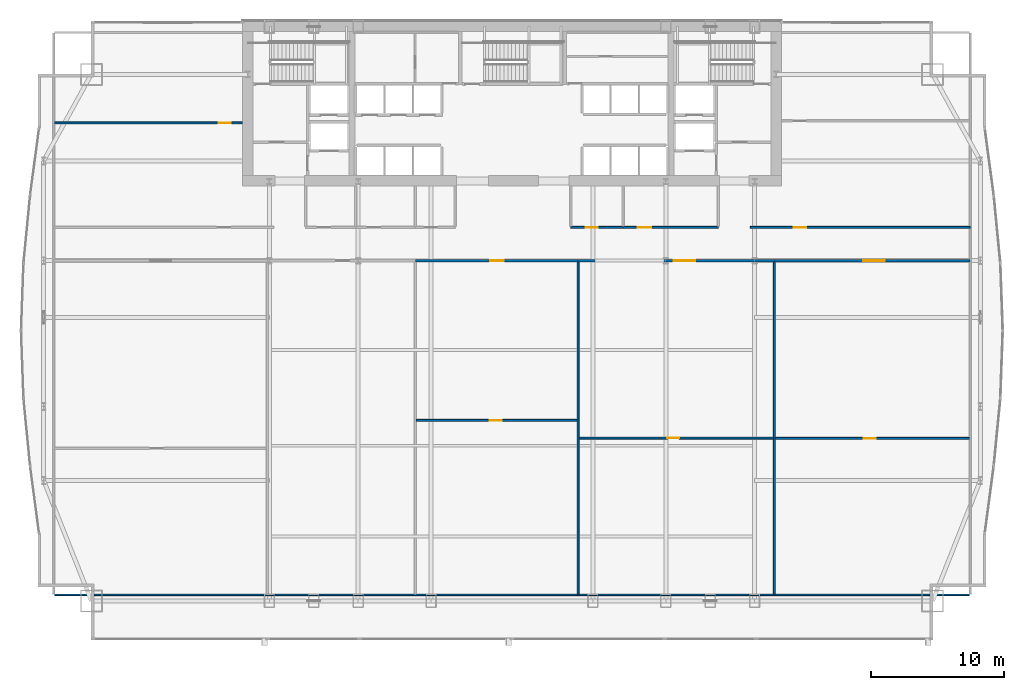
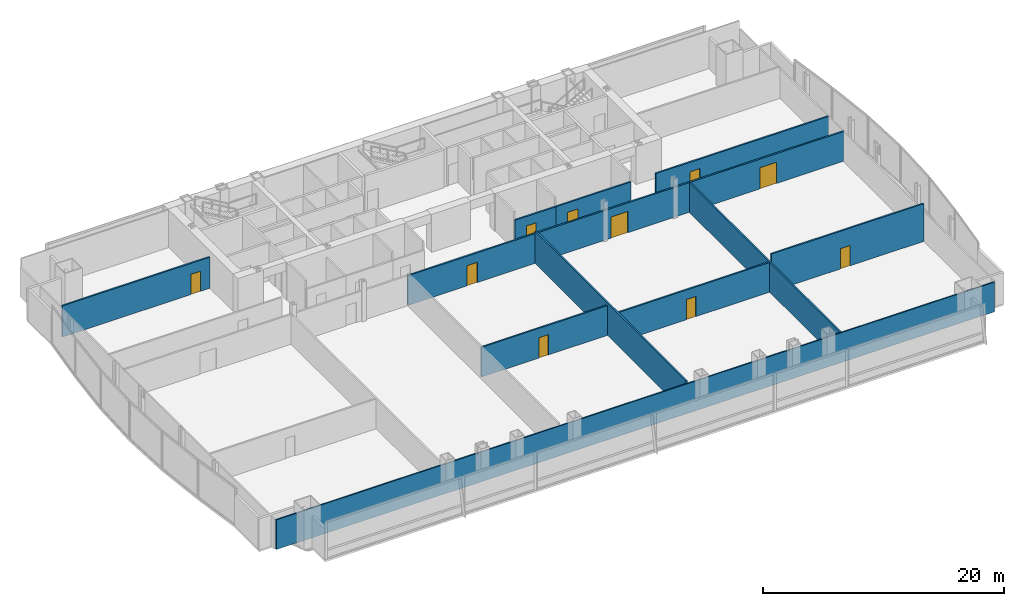
# One storey, part 29 of 35: 13 walls, 10 doors, 10 openings.
"""IFC4 building model written with IfcOpenShell, lengths in metres."""

from ifc_helpers import new_model, si_unit, direction, frame, frame_2d, origin, place, context, subcontext, project, spatial, rectangle, extrude, material, layer, layer_set, type_object, element, fill, save


model = new_model("IFC4")

# Units and contexts
model_context = context("Model", 3, precision=1e-05, world=origin(), true_north=direction((0.0, 1.0)))
body_context = subcontext(model_context, "Body", "Model", "MODEL_VIEW")
ifc_project = project(units=[si_unit("LENGTHUNIT", "METRE"), si_unit("AREAUNIT", "SQUARE_METRE"), si_unit("VOLUMEUNIT", "CUBIC_METRE"), si_unit("PLANEANGLEUNIT", "RADIAN"), si_unit("MASSUNIT", "GRAM", prefix="KILO")], contexts=[model_context])

# Site, building, storey
site_placement = place(None, origin())
site = spatial("IfcSite", under=ifc_project, at=site_placement, CompositionType="ELEMENT")
building_placement = place(site_placement, origin())
building = spatial("IfcBuilding", under=site, at=building_placement, Name="Khoronbel Lancet Exchange", CompositionType="ELEMENT")
storey_placement = place(building_placement, frame((0.0, 0.0, 69.800048828125)))
storey = spatial("IfcBuildingStorey", under=building, at=storey_placement, Name="L16", CompositionType="ELEMENT", Elevation=69.800048828125)

# Wall, opening, door
ifc_material_1 = material(Name="Acoustic Metal-Stud & Mineral-Wool Gypsum Partition 120 mm", Category="gypsum")
ifc_layer_1 = layer(ifc_material_1, 0.1201171875, Name="Acoustic Metal-Stud & Mineral-Wool Gypsum Partition 120 mm")
ifc_layer_set_1 = layer_set([ifc_layer_1], Name="Acoustic Metal-Stud & Mineral-Wool Gypsum Partition 120 mm")
wall_type_1 = type_object("IfcWallType", Name="WL-PRT120", PredefinedType="PARTITIONING", material=ifc_layer_set_1)
wall_1_placement = place(storey_placement, frame((2.094970703125, 46.050048828125, 0.0), z_axis=(0.0, 0.0, 1.0), x_axis=(1.0, 0.0, 0.0)))
wall_1 = element("IfcWall", 1, at=wall_1_placement, inside=storey, type_object=wall_type_1, Name="Level L16 interior partition PW-NW-H", PredefinedType="PARTITIONING", context=body_context, shape_type="SweptSolid", body=[
    extrude(rectangle(XDim=14.10498046875, YDim=0.14990234375, at=frame_2d((7.052490234375, 0.0))), origin(), (0.0, 0.0, 1.0), 3.159912109375),
])
opening_1_placement = place(wall_1_placement, frame((12.320068359375, 0.0, 0.0)))
opening_1 = element("IfcOpeningElement", 2, at=opening_1_placement, cuts=wall_1, Name="Opening D5", PredefinedType="OPENING", context=body_context, shape_type="SweptSolid", body=[
    extrude(rectangle(XDim=0.89990234375, YDim=2.050048828125, at=frame_2d((0.449951171875, 1.02490234375))), frame((0.0, 0.0849609375, 0.0), z_axis=(0.0, -1.0, 0.0), x_axis=(1.0, 0.0, 0.0)), (0.0, 0.0, 1.0), 0.169921875),
])
ifc_material_2 = material(Name="Acoustic Timber Pantry & Support Door", Category="wood")
door_type_1 = type_object("IfcDoorType", Name="DR-D5", OperationType="NOTDEFINED", PredefinedType="DOOR", material=ifc_material_2)
door_1_placement = place(opening_1_placement, origin())
door_1 = element("IfcDoor", 3, at=door_1_placement, inside=storey, type_object=door_type_1, Name="NW north room door L16-1", OperationType="SINGLE_SWING_RIGHT", OverallHeight=2.050048828125, OverallWidth=0.89990234375, PredefinedType="DOOR", context=body_context, shape_type="SweptSolid", body=[
    extrude(rectangle(XDim=0.89990234375, YDim=2.050048828125, at=frame_2d((0.449951171875, 1.02490234375))), frame((0.0, 0.02490234375, 0.0), z_axis=(0.0, -1.0, 0.0), x_axis=(1.0, 0.0, 0.0)), (0.0, 0.0, 1.0), 0.050048828125),
])
fill(opening_1, door_1)

wall_2_placement = place(storey_placement, frame((29.272216796875, 23.69775390625, 0.0), z_axis=(0.0, 0.0, 1.0), x_axis=(1.0, 0.0, 0.0)))
wall_2 = element("IfcWall", 4, at=wall_2_placement, inside=storey, type_object=wall_type_1, Name="Level L16 interior partition PW-Z1S-H3", PredefinedType="PARTITIONING", context=body_context, shape_type="SweptSolid", body=[
    extrude(rectangle(XDim=12.055908203125, YDim=0.14990234375, at=frame_2d((6.02783203125, 0.0))), origin(), (0.0, 0.0, 1.0), 3.010009765625),
])
opening_2_placement = place(wall_2_placement, frame((5.497314453125, 0.0, 0.0)))
opening_2 = element("IfcOpeningElement", 5, at=opening_2_placement, cuts=wall_2, Name="Opening D5", PredefinedType="OPENING", context=body_context, shape_type="SweptSolid", body=[
    extrude(rectangle(XDim=0.89990234375, YDim=2.050048828125, at=frame_2d((0.449951171875, 1.02490234375))), frame((0.0, 0.0849609375, 0.0), z_axis=(0.0, -1.0, 0.0), x_axis=(1.0, 0.0, 0.0)), (0.0, 0.0, 1.0), 0.169921875),
])
door_2_placement = place(opening_2_placement, origin())
door_2 = element("IfcDoor", 6, at=door_2_placement, inside=storey, type_object=door_type_1, Name="Z1S inner door 3 L16-1", OperationType="SINGLE_SWING_LEFT", OverallHeight=2.050048828125, OverallWidth=0.89990234375, PredefinedType="DOOR", context=body_context, shape_type="SweptSolid", body=[
    extrude(rectangle(XDim=0.89990234375, YDim=2.050048828125, at=frame_2d((0.449951171875, 1.02490234375))), frame((0.0, 0.02490234375, 0.0), z_axis=(0.0, -1.0, 0.0), x_axis=(1.0, 0.0, 0.0)), (0.0, 0.0, 1.0), 0.050048828125),
])
fill(opening_2, door_2)

wall_3_placement = place(storey_placement, frame((41.48828125, 22.38037109375, 0.0), z_axis=(0.0, 0.0, 1.0), x_axis=(1.0, 0.0, 0.0)))
wall_3 = element("IfcWall", 7, at=wall_3_placement, inside=storey, type_object=wall_type_1, Name="Level L16 interior partition PW-Z1S-H4", PredefinedType="PARTITIONING", context=body_context, shape_type="SweptSolid", body=[
    extrude(rectangle(XDim=14.585205078125, YDim=0.14990234375, at=frame_2d((7.29248046875, 0.0))), origin(), (0.0, 0.0, 1.0), 3.010009765625),
])
opening_3_placement = place(wall_3_placement, frame((6.635498046875, 0.0, 0.0)))
opening_3 = element("IfcOpeningElement", 8, at=opening_3_placement, cuts=wall_3, Name="Opening D5", PredefinedType="OPENING", context=body_context, shape_type="SweptSolid", body=[
    extrude(rectangle(XDim=0.89990234375, YDim=2.050048828125, at=frame_2d((0.449951171875, 1.02490234375))), frame((0.0, 0.0849609375, 0.0), z_axis=(0.0, -1.0, 0.0), x_axis=(1.0, 0.0, 0.0)), (0.0, 0.0, 1.0), 0.169921875),
])
door_3_placement = place(opening_3_placement, origin())
door_3 = element("IfcDoor", 9, at=door_3_placement, inside=storey, type_object=door_type_1, Name="Z1S inner door 4 L16-1", OperationType="SINGLE_SWING_RIGHT", OverallHeight=2.050048828125, OverallWidth=0.89990234375, PredefinedType="DOOR", context=body_context, shape_type="SweptSolid", body=[
    extrude(rectangle(XDim=0.89990234375, YDim=2.050048828125, at=frame_2d((0.449951171875, 1.02490234375))), frame((0.0, 0.02490234375, 0.0), z_axis=(0.0, -1.0, 0.0), x_axis=(1.0, 0.0, 0.0)), (0.0, 0.0, 1.0), 0.050048828125),
])
fill(opening_3, door_3)

wall_4_placement = place(storey_placement, frame((56.2333984375, 22.348876953125, 0.0), z_axis=(0.0, 0.0, 1.0), x_axis=(1.0, 0.0, 0.0)))
wall_4 = element("IfcWall", 10, at=wall_4_placement, inside=storey, type_object=wall_type_1, Name="Level L16 interior partition PW-Z1S-H5", PredefinedType="PARTITIONING", context=body_context, shape_type="SweptSolid", body=[
    extrude(rectangle(XDim=14.571533203125, YDim=0.14990234375, at=frame_2d((7.28564453125, 0.0))), origin(), (0.0, 0.0, 1.0), 3.820068359375),
])
opening_4_placement = place(wall_4_placement, frame((6.622314453125, 0.0, 0.0)))
opening_4 = element("IfcOpeningElement", 11, at=opening_4_placement, cuts=wall_4, Name="Opening D5", PredefinedType="OPENING", context=body_context, shape_type="SweptSolid", body=[
    extrude(rectangle(XDim=0.89990234375, YDim=2.050048828125, at=frame_2d((0.449951171875, 1.02490234375))), frame((0.0, 0.0849609375, 0.0), z_axis=(0.0, -1.0, 0.0), x_axis=(1.0, 0.0, 0.0)), (0.0, 0.0, 1.0), 0.169921875),
])
door_4_placement = place(opening_4_placement, origin())
door_4 = element("IfcDoor", 12, at=door_4_placement, inside=storey, type_object=door_type_1, Name="Z1S inner door 5 L16-1", OperationType="SINGLE_SWING_LEFT", OverallHeight=2.050048828125, OverallWidth=0.89990234375, PredefinedType="DOOR", context=body_context, shape_type="SweptSolid", body=[
    extrude(rectangle(XDim=0.89990234375, YDim=2.050048828125, at=frame_2d((0.449951171875, 1.02490234375))), frame((0.0, 0.02490234375, 0.0), z_axis=(0.0, -1.0, 0.0), x_axis=(1.0, 0.0, 0.0)), (0.0, 0.0, 1.0), 0.050048828125),
])
fill(opening_4, door_4)

# Wall
wall_5_placement = place(storey_placement, frame((2.094970703125, 10.60009765625, 0.0), z_axis=(0.0, 0.0, 1.0), x_axis=(1.0, 0.0, 0.0)))
element("IfcWall", 13, at=wall_5_placement, inside=storey, type_object=wall_type_1, Name="Level L16 interior partition PW-LIN-S", PredefinedType="PARTITIONING", context=body_context, shape_type="SweptSolid", body=[
    extrude(rectangle(XDim=68.7099609375, YDim=0.1201171875, at=frame_2d((34.35498046875, 0.0))), origin(), (0.0, 0.0, 1.0), 3.010009765625),
])

# Wall, opening, door
ifc_material_3 = material(Name="Fire-Rated Twin-Stud Acoustic Gypsum Partition 150 mm", Category="gypsum")
ifc_layer_2 = layer(ifc_material_3, 0.14990234375, Name="Fire-Rated Twin-Stud Acoustic Gypsum Partition 150 mm")
ifc_layer_set_2 = layer_set([ifc_layer_2], Name="Fire-Rated Twin-Stud Acoustic Gypsum Partition 150 mm")
wall_type_2 = type_object("IfcWallType", Name="WL-PRT150C", PredefinedType="PARTITIONING", material=ifc_layer_set_2)
wall_6_placement = place(storey_placement, frame((40.8798828125, 38.199951171875, 0.0), z_axis=(0.0, 0.0, 1.0), x_axis=(1.0, 0.0, 0.0)))
wall_6 = element("IfcWall", 14, at=wall_6_placement, inside=storey, type_object=wall_type_2, Name="Level L16 interior partition PW-NP-S1", PredefinedType="PARTITIONING", context=body_context, shape_type="SweptSolid", body=[
    extrude(rectangle(XDim=3.920166015625, YDim=0.14990234375, at=frame_2d((1.9599609375, 0.0))), origin(), (0.0, 0.0, 1.0), 3.010009765625),
])
opening_5_placement = place(wall_6_placement, frame((1.10009765625, 0.0, 0.0)))
opening_5 = element("IfcOpeningElement", 15, at=opening_5_placement, cuts=wall_6, Name="Opening D5", PredefinedType="OPENING", context=body_context, shape_type="SweptSolid", body=[
    extrude(rectangle(XDim=0.89990234375, YDim=2.050048828125, at=frame_2d((0.449951171875, 1.02490234375))), frame((0.0, 0.0849609375, 0.0), z_axis=(0.0, -1.0, 0.0), x_axis=(1.0, 0.0, 0.0)), (0.0, 0.0, 1.0), 0.169921875),
])
door_5_placement = place(opening_5_placement, origin())
door_5 = element("IfcDoor", 16, at=door_5_placement, inside=storey, type_object=door_type_1, Name="Floor refreshment pantry door L16-1", OperationType="SINGLE_SWING_RIGHT", OverallHeight=2.050048828125, OverallWidth=0.89990234375, PredefinedType="DOOR", context=body_context, shape_type="SweptSolid", body=[
    extrude(rectangle(XDim=0.89990234375, YDim=2.050048828125, at=frame_2d((0.449951171875, 1.02490234375))), frame((0.0, 0.02490234375, 0.0), z_axis=(0.0, -1.0, 0.0), x_axis=(1.0, 0.0, 0.0)), (0.0, 0.0, 1.0), 0.050048828125),
])
fill(opening_5, door_5)

wall_7_placement = place(storey_placement, frame((44.800048828125, 38.199951171875, 0.0), z_axis=(0.0, 0.0, 1.0), x_axis=(1.0, 0.0, 0.0)))
wall_7 = element("IfcWall", 17, at=wall_7_placement, inside=storey, type_object=wall_type_2, Name="Level L16 interior partition PW-NP-S2", PredefinedType="PARTITIONING", context=body_context, shape_type="SweptSolid", body=[
    extrude(rectangle(XDim=7.14990234375, YDim=0.14990234375, at=frame_2d((3.574951171875, 0.0))), origin(), (0.0, 0.0, 1.0), 3.010009765625),
])
opening_6_placement = place(wall_7_placement, frame((1.10009765625, 0.0, 0.0)))
opening_6 = element("IfcOpeningElement", 18, at=opening_6_placement, cuts=wall_7, Name="Opening D2", PredefinedType="OPENING", context=body_context, shape_type="SweptSolid", body=[
    extrude(rectangle(XDim=1.0, YDim=2.050048828125, at=frame_2d((0.5, 1.02490234375))), frame((0.0, 0.0849609375, 0.0), z_axis=(0.0, -1.0, 0.0), x_axis=(1.0, 0.0, 0.0)), (0.0, 0.0, 1.0), 0.169921875),
])
ifc_material_4 = material(Name="Acoustic Veneered Timber & Bronze Frame Door", Category="wood")
door_type_2 = type_object("IfcDoorType", Name="DR-D2", OperationType="NOTDEFINED", PredefinedType="DOOR", material=ifc_material_4)
door_6_placement = place(opening_6_placement, origin())
door_6 = element("IfcDoor", 19, at=door_6_placement, inside=storey, type_object=door_type_2, Name="Floor store door L16-1", OperationType="SINGLE_SWING_LEFT", OverallHeight=2.050048828125, OverallWidth=1.0, PredefinedType="DOOR", context=body_context, shape_type="SweptSolid", body=[
    extrude(rectangle(XDim=1.0, YDim=2.050048828125, at=frame_2d((0.5, 1.02490234375))), frame((0.0, 0.02490234375, 0.0), z_axis=(0.0, -1.0, 0.0), x_axis=(1.0, 0.0, 0.0)), (0.0, 0.0, 1.0), 0.050048828125),
])
fill(opening_6, door_6)

wall_8_placement = place(storey_placement, frame((54.35009765625, 38.199951171875, 0.0), z_axis=(0.0, 0.0, 1.0), x_axis=(1.0, 0.0, 0.0)))
wall_8 = element("IfcWall", 20, at=wall_8_placement, inside=storey, type_object=wall_type_2, Name="Level L16 interior partition PW-NE-S", PredefinedType="PARTITIONING", context=body_context, shape_type="SweptSolid", body=[
    extrude(rectangle(XDim=16.52001953125, YDim=0.14990234375, at=frame_2d((8.260009765625, 0.0))), origin(), (0.0, 0.0, 1.0), 3.010009765625),
])
opening_7_placement = place(wall_8_placement, frame((3.25, 0.0, 0.0)))
opening_7 = element("IfcOpeningElement", 21, at=opening_7_placement, cuts=wall_8, Name="Opening D1", PredefinedType="OPENING", context=body_context, shape_type="SweptSolid", body=[
    extrude(rectangle(XDim=0.949951171875, YDim=2.050048828125, at=frame_2d((0.47509765625, 1.02490234375))), frame((0.0, 0.0849609375, 0.0), z_axis=(0.0, -1.0, 0.0), x_axis=(1.0, 0.0, 0.0)), (0.0, 0.0, 1.0), 0.169921875),
])
door_type_3 = type_object("IfcDoorType", Name="DR-D1", OperationType="NOTDEFINED", PredefinedType="DOOR", material=ifc_material_4)
door_7_placement = place(opening_7_placement, origin())
door_7 = element("IfcDoor", 22, at=door_7_placement, inside=storey, type_object=door_type_3, Name="NE corner room door L16-1", OperationType="SINGLE_SWING_LEFT", OverallHeight=2.050048828125, OverallWidth=0.949951171875, PredefinedType="DOOR", context=body_context, shape_type="SweptSolid", body=[
    extrude(rectangle(XDim=0.949951171875, YDim=2.050048828125, at=frame_2d((0.47509765625, 1.02490234375))), frame((0.0, 0.02490234375, 0.0), z_axis=(0.0, -1.0, 0.0), x_axis=(1.0, 0.0, 0.0)), (0.0, 0.0, 1.0), 0.050048828125),
])
fill(opening_7, door_7)

# Walls
wall_9_placement = place(storey_placement, frame((41.408203125, 10.6650390625, 0.0), z_axis=(0.0, 0.0, 1.0), x_axis=(0.0, 1.0, 0.0)))
element("IfcWall", 23, at=wall_9_placement, inside=storey, type_object=wall_type_2, Name="Level L16 interior partition PW-Z1S-V3", PredefinedType="PARTITIONING", context=body_context, shape_type="SweptSolid", body=[
    extrude(rectangle(XDim=24.949951171875, YDim=0.14990234375, at=frame_2d((12.47509765625, 0.0))), origin(), (0.0, 0.0, 1.0), 3.260009765625),
])
wall_10_placement = place(storey_placement, frame((56.153564453125, 10.6650390625, 0.0), z_axis=(0.0, 0.0, 1.0), x_axis=(0.0, 1.0, 0.0)))
element("IfcWall", 24, at=wall_10_placement, inside=storey, type_object=wall_type_2, Name="Level L16 interior partition PW-Z1S-V4", PredefinedType="PARTITIONING", context=body_context, shape_type="SweptSolid", body=[
    extrude(rectangle(XDim=24.949951171875, YDim=0.14990234375, at=frame_2d((12.47509765625, 0.0))), origin(), (0.0, 0.0, 1.0), 3.010009765625),
])

# Wall, opening, door
ifc_material_5 = material(Name="Fire-Rated Twin-Stud Acoustic Gypsum Partition 160 mm", Category="gypsum")
ifc_layer_3 = layer(ifc_material_5, 0.159912109375, Name="Fire-Rated Twin-Stud Acoustic Gypsum Partition 160 mm")
ifc_layer_set_3 = layer_set([ifc_layer_3], Name="Fire-Rated Twin-Stud Acoustic Gypsum Partition 160 mm")
wall_type_3 = type_object("IfcWallType", Name="WL-PRT160C", PredefinedType="PARTITIONING", material=ifc_layer_set_3)
wall_11_placement = place(storey_placement, frame((29.1923828125, 35.699951171875, 0.0), z_axis=(0.0, 0.0, 1.0), x_axis=(1.0, 0.0, 0.0)))
wall_11 = element("IfcWall", 25, at=wall_11_placement, inside=storey, type_object=wall_type_3, Name="Level L16 interior partition PW-Z1S-COR3", PredefinedType="PARTITIONING", context=body_context, shape_type="SweptSolid", body=[
    extrude(rectangle(XDim=12.2158203125, YDim=0.159912109375, at=frame_2d((6.10791015625, 0.0))), origin(), (0.0, 0.0, 1.0), 3.010009765625),
])
opening_8_placement = place(wall_11_placement, frame((5.630615234375, 0.0, 0.0)))
opening_8 = element("IfcOpeningElement", 26, at=opening_8_placement, cuts=wall_11, Name="Opening D2", PredefinedType="OPENING", context=body_context, shape_type="SweptSolid", body=[
    extrude(rectangle(XDim=1.0, YDim=2.050048828125, at=frame_2d((0.5, 1.02490234375))), frame((0.0, 0.08984375, 0.0), z_axis=(0.0, -1.0, 0.0), x_axis=(1.0, 0.0, 0.0)), (0.0, 0.0, 1.0), 0.179931640625),
])
door_8_placement = place(opening_8_placement, origin())
door_8 = element("IfcDoor", 27, at=door_8_placement, inside=storey, type_object=door_type_2, Name="Z1S bay 3 door L16-1", OperationType="SINGLE_SWING_RIGHT", OverallHeight=2.050048828125, OverallWidth=1.0, PredefinedType="DOOR", context=body_context, shape_type="SweptSolid", body=[
    extrude(rectangle(XDim=1.0, YDim=2.050048828125, at=frame_2d((0.5, 1.02490234375))), frame((0.0, 0.02490234375, 0.0), z_axis=(0.0, -1.0, 0.0), x_axis=(1.0, 0.0, 0.0)), (0.0, 0.0, 1.0), 0.050048828125),
])
fill(opening_8, door_8)

wall_12_placement = place(storey_placement, frame((41.408203125, 35.699951171875, 0.0), z_axis=(0.0, 0.0, 1.0), x_axis=(1.0, 0.0, 0.0)))
wall_12 = element("IfcWall", 28, at=wall_12_placement, inside=storey, type_object=wall_type_3, Name="Level L16 interior partition PW-Z1S-COR4", PredefinedType="PARTITIONING", context=body_context, shape_type="SweptSolid", body=[
    extrude(rectangle(XDim=14.745361328125, YDim=0.159912109375, at=frame_2d((7.37255859375, 0.0))), origin(), (0.0, 0.0, 1.0), 3.010009765625),
])
opening_9_placement = place(wall_12_placement, frame((7.193115234375, 0.0, 0.0)))
opening_9 = element("IfcOpeningElement", 29, at=opening_9_placement, cuts=wall_12, Name="Opening D3", PredefinedType="OPENING", context=body_context, shape_type="SweptSolid", body=[
    extrude(rectangle(XDim=1.60009765625, YDim=2.14990234375, at=frame_2d((0.800048828125, 1.074951171875))), frame((0.0, 0.08984375, 0.0), z_axis=(0.0, -1.0, 0.0), x_axis=(1.0, 0.0, 0.0)), (0.0, 0.0, 1.0), 0.179931640625),
])
ifc_material_6 = material(Name="Glazed Bronze-Framed Double Suite Door", Category="aluminium")
door_type_4 = type_object("IfcDoorType", Name="DR-D3", OperationType="NOTDEFINED", PredefinedType="DOOR", material=ifc_material_6)
door_9_placement = place(opening_9_placement, origin())
door_9 = element("IfcDoor", 30, at=door_9_placement, inside=storey, type_object=door_type_4, Name="Z1S bay 4 door L16-1", OperationType="DOUBLE_DOOR_SINGLE_SWING", OverallHeight=2.14990234375, OverallWidth=1.60009765625, PredefinedType="DOOR", context=body_context, shape_type="SweptSolid", body=[
    extrude(rectangle(XDim=1.60009765625, YDim=2.14990234375, at=frame_2d((0.800048828125, 1.074951171875))), frame((0.0, 0.02490234375, 0.0), z_axis=(0.0, -1.0, 0.0), x_axis=(1.0, 0.0, 0.0)), (0.0, 0.0, 1.0), 0.050048828125),
])
fill(opening_9, door_9)

wall_13_placement = place(storey_placement, frame((56.153564453125, 35.699951171875, 0.0), z_axis=(0.0, 0.0, 1.0), x_axis=(1.0, 0.0, 0.0)))
wall_13 = element("IfcWall", 31, at=wall_13_placement, inside=storey, type_object=wall_type_3, Name="Level L16 interior partition PW-Z1S-COR5", PredefinedType="PARTITIONING", context=body_context, shape_type="SweptSolid", body=[
    extrude(rectangle(XDim=14.716552734375, YDim=0.159912109375, at=frame_2d((7.3583984375, 0.0))), origin(), (0.0, 0.0, 1.0), 3.010009765625),
])
opening_10_placement = place(wall_13_placement, frame((6.680908203125, 0.0, 0.0)))
opening_10 = element("IfcOpeningElement", 32, at=opening_10_placement, cuts=wall_13, Name="Opening D3", PredefinedType="OPENING", context=body_context, shape_type="SweptSolid", body=[
    extrude(rectangle(XDim=1.60009765625, YDim=2.14990234375, at=frame_2d((0.800048828125, 1.074951171875))), frame((0.0, 0.08984375, 0.0), z_axis=(0.0, -1.0, 0.0), x_axis=(1.0, 0.0, 0.0)), (0.0, 0.0, 1.0), 0.179931640625),
])
door_10_placement = place(opening_10_placement, origin())
door_10 = element("IfcDoor", 33, at=door_10_placement, inside=storey, type_object=door_type_4, Name="Z1S bay 5 door L16-1", OperationType="DOUBLE_DOOR_SINGLE_SWING", OverallHeight=2.14990234375, OverallWidth=1.60009765625, PredefinedType="DOOR", context=body_context, shape_type="SweptSolid", body=[
    extrude(rectangle(XDim=1.60009765625, YDim=2.14990234375, at=frame_2d((0.800048828125, 1.074951171875))), frame((0.0, 0.02490234375, 0.0), z_axis=(0.0, -1.0, 0.0), x_axis=(1.0, 0.0, 0.0)), (0.0, 0.0, 1.0), 0.050048828125),
])
fill(opening_10, door_10)

save(model, "model.ifc")
